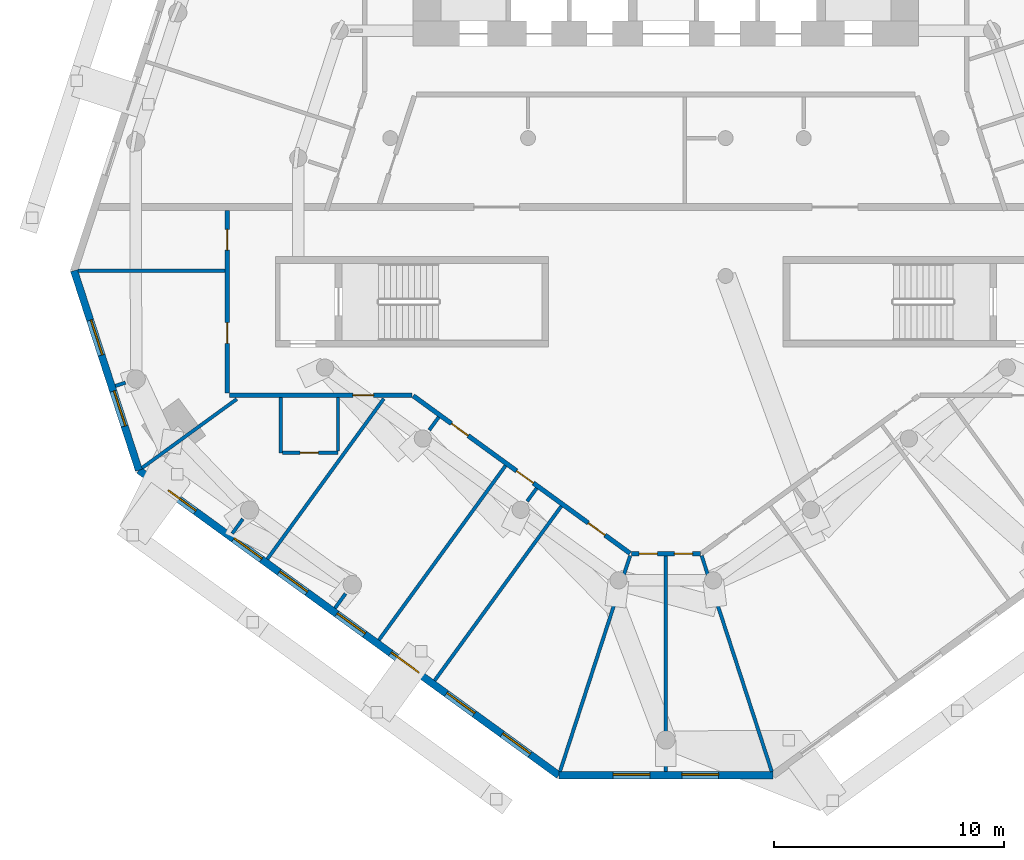
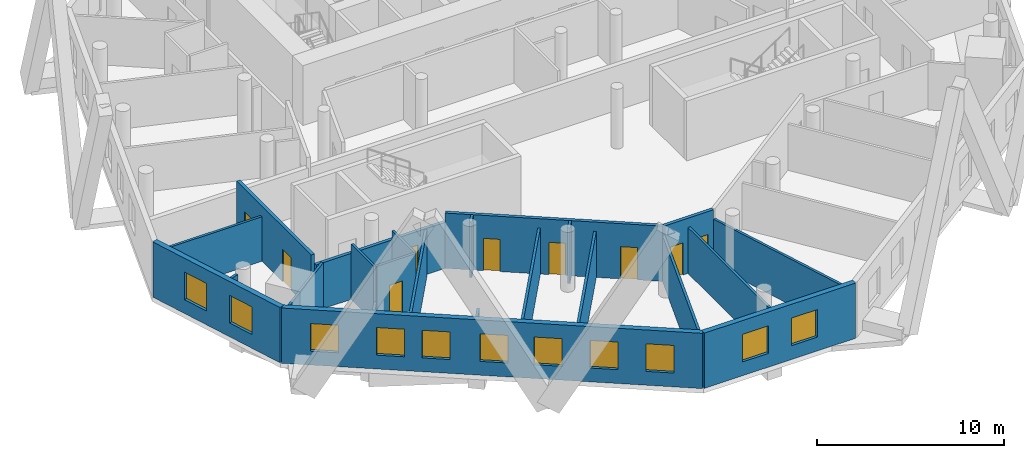
# One storey, part 4 of 11: 23 walls, 11 windows, 9 doors, 20 openings.
"""IFC4 building model written with IfcOpenShell, lengths in metres."""

from ifc_helpers import new_model, si_unit, direction, frame, frame_2d, origin, place, context, subcontext, project, spatial, rectangle, extrude, material, layer, layer_set, type_object, element, fill, save


model = new_model("IFC4")

# Units and contexts
model_context = context("Model", 3, precision=1e-05, world=origin(), true_north=direction((0.0, 1.0)))
body_context = subcontext(model_context, "Body", "Model", "MODEL_VIEW")
ifc_project = project(units=[si_unit("LENGTHUNIT", "METRE"), si_unit("AREAUNIT", "SQUARE_METRE"), si_unit("VOLUMEUNIT", "CUBIC_METRE"), si_unit("PLANEANGLEUNIT", "RADIAN"), si_unit("MASSUNIT", "GRAM", prefix="KILO")], contexts=[model_context])

# Site, building, storey
site_placement = place(None, origin())
site = spatial("IfcSite", under=ifc_project, at=site_placement, CompositionType="ELEMENT")
building_placement = place(site_placement, origin())
building = spatial("IfcBuilding", under=site, at=building_placement, Name="White Candle Pilgrim Tower", CompositionType="ELEMENT")
storey_placement = place(building_placement, frame((0.0, 0.0, 90.800048828125)))
storey = spatial("IfcBuildingStorey", under=building, at=storey_placement, Name="L19", CompositionType="ELEMENT", Elevation=90.800048828125)

# Wall, openings, doors
ifc_material_1 = material(Name="Gypsum board on steel studs", Category="steel")
ifc_layer_1 = layer(ifc_material_1, 0.199951171875)
ifc_layer_set_1 = layer_set([ifc_layer_1], Name="Corridor wall 200 mm EI 45")
wall_type_1 = type_object("IfcWallType", Name="Corridor wall 200 mm EI 45", PredefinedType="PARTITIONING", material=ifc_layer_set_1)
wall_1_placement = place(storey_placement, frame((71.497802734375, 48.904296875, 0.0), z_axis=(0.0, 0.0, 1.0), x_axis=(-1.0, 0.0, 0.0)))
wall_1 = element("IfcWall", 1, at=wall_1_placement, inside=storey, type_object=wall_type_1, Name="WL-L19-P009", PredefinedType="PARTITIONING", context=body_context, shape_type="SweptSolid", body=[
    extrude(rectangle(XDim=2.99560546875, YDim=0.199951171875, at=frame_2d((1.497802734375, 0.0))), origin(), (0.0, 0.0, 1.0), 3.599853515625),
])
opening_1_placement = place(wall_1_placement, frame((1.863037109375, 0.0, 0.0)))
opening_1 = element("IfcOpeningElement", 2, at=opening_1_placement, cuts=wall_1, Name="Opening T06-108", PredefinedType="OPENING", context=body_context, shape_type="SweptSolid", body=[
    extrude(rectangle(XDim=0.800048828125, YDim=2.10009765625, at=frame_2d((0.39990234375, 1.050048828125))), frame((0.0, 0.10986328125, 0.0), z_axis=(0.0, -1.0, 0.0), x_axis=(1.0, 0.0, 0.0)), (0.0, 0.0, 1.0), 0.219970703125),
])
opening_2_placement = place(wall_1_placement, frame((0.33251953125, 0.0, 0.0)))
opening_2 = element("IfcOpeningElement", 3, at=opening_2_placement, cuts=wall_1, Name="Opening T06-109", PredefinedType="OPENING", context=body_context, shape_type="SweptSolid", body=[
    extrude(rectangle(XDim=0.800048828125, YDim=2.10009765625, at=frame_2d((0.39990234375, 1.050048828125))), frame((0.0, 0.10986328125, 0.0), z_axis=(0.0, -1.0, 0.0), x_axis=(1.0, 0.0, 0.0)), (0.0, 0.0, 1.0), 0.219970703125),
])
ifc_material_2 = material(Name="Steel door leaf", Category="steel")
door_type_1 = type_object("IfcDoorType", Name="Fire door 800 x 2100 EI 30", OperationType="NOTDEFINED", PredefinedType="DOOR", material=ifc_material_2)
door_1_placement = place(opening_1_placement, origin())
door_1 = element("IfcDoor", 4, at=door_1_placement, inside=storey, type_object=door_type_1, Name="Door T06-108", OperationType="SINGLE_SWING_RIGHT", OverallHeight=2.10009765625, OverallWidth=0.800048828125, PredefinedType="DOOR", context=body_context, shape_type="SweptSolid", body=[
    extrude(rectangle(XDim=0.800048828125, YDim=2.10009765625, at=frame_2d((0.39990234375, 1.050048828125))), frame((0.0, 0.02490234375, 0.0), z_axis=(0.0, -1.0, 0.0), x_axis=(1.0, 0.0, 0.0)), (0.0, 0.0, 1.0), 0.050048828125),
])
fill(opening_1, door_1)
door_2_placement = place(opening_2_placement, origin())
door_2 = element("IfcDoor", 5, at=door_2_placement, inside=storey, type_object=door_type_1, Name="Door T06-109", OperationType="SINGLE_SWING_LEFT", OverallHeight=2.10009765625, OverallWidth=0.800048828125, PredefinedType="DOOR", context=body_context, shape_type="SweptSolid", body=[
    extrude(rectangle(XDim=0.800048828125, YDim=2.10009765625, at=frame_2d((0.39990234375, 1.050048828125))), frame((0.0, 0.02490234375, 0.0), z_axis=(0.0, -1.0, 0.0), x_axis=(1.0, 0.0, 0.0)), (0.0, 0.0, 1.0), 0.050048828125),
])
fill(opening_2, door_2)

wall_2_placement = place(storey_placement, frame((68.443359375, 48.92333984375, 0.0), z_axis=(0.0, 0.0, 1.0), x_axis=(-0.809008378027, 0.587797111495, 0.0)))
wall_2 = element("IfcWall", 6, at=wall_2_placement, inside=storey, type_object=wall_type_1, Name="WL-L19-P010", PredefinedType="PARTITIONING", context=body_context, shape_type="SweptSolid", body=[
    extrude(rectangle(XDim=11.666748046875, YDim=0.199951171875, at=frame_2d((5.83349609375, 0.0))), origin(), (0.0, 0.0, 1.0), 3.599853515625),
])
opening_3_placement = place(wall_2_placement, frame((8.715087890625, 0.0, 0.0)))
opening_3 = element("IfcOpeningElement", 7, at=opening_3_placement, cuts=wall_2, Name="Opening T06-105", PredefinedType="OPENING", context=body_context, shape_type="SweptSolid", body=[
    extrude(rectangle(XDim=0.89990234375, YDim=2.10009765625, at=frame_2d((0.449951171875, 1.050048828125))), frame((0.0, 0.10986328125, 0.0), z_axis=(0.0, -1.0, 0.0), x_axis=(1.0, 0.0, 0.0)), (0.0, 0.0, 1.0), 0.219970703125),
])
opening_4_placement = place(wall_2_placement, frame((5.206298828125, 0.0, 0.0)))
opening_4 = element("IfcOpeningElement", 8, at=opening_4_placement, cuts=wall_2, Name="Opening T06-106", PredefinedType="OPENING", context=body_context, shape_type="SweptSolid", body=[
    extrude(rectangle(XDim=0.89990234375, YDim=2.10009765625, at=frame_2d((0.449951171875, 1.050048828125))), frame((0.0, 0.10986328125, 0.0), z_axis=(0.0, -1.0, 0.0), x_axis=(1.0, 0.0, 0.0)), (0.0, 0.0, 1.0), 0.219970703125),
])
opening_5_placement = place(wall_2_placement, frame((1.349365234375, 0.0, 0.0)))
opening_5 = element("IfcOpeningElement", 9, at=opening_5_placement, cuts=wall_2, Name="Opening T06-107", PredefinedType="OPENING", context=body_context, shape_type="SweptSolid", body=[
    extrude(rectangle(XDim=0.89990234375, YDim=2.10009765625, at=frame_2d((0.449951171875, 1.050048828125))), frame((0.0, 0.10986328125, 0.0), z_axis=(0.0, -1.0, 0.0), x_axis=(1.0, 0.0, 0.0)), (0.0, 0.0, 1.0), 0.219970703125),
])
door_type_2 = type_object("IfcDoorType", Name="Fire door 900 x 2100 EI 30", OperationType="NOTDEFINED", PredefinedType="DOOR", material=ifc_material_2)
door_3_placement = place(opening_3_placement, origin())
door_3 = element("IfcDoor", 10, at=door_3_placement, inside=storey, type_object=door_type_2, Name="Door T06-105", OperationType="SINGLE_SWING_LEFT", OverallHeight=2.10009765625, OverallWidth=0.89990234375, PredefinedType="DOOR", context=body_context, shape_type="SweptSolid", body=[
    extrude(rectangle(XDim=0.89990234375, YDim=2.10009765625, at=frame_2d((0.449951171875, 1.050048828125))), frame((0.0, 0.02490234375, 0.0), z_axis=(0.0, -1.0, 0.0), x_axis=(1.0, 0.0, 0.0)), (0.0, 0.0, 1.0), 0.050048828125),
])
fill(opening_3, door_3)
door_4_placement = place(opening_4_placement, origin())
door_4 = element("IfcDoor", 11, at=door_4_placement, inside=storey, type_object=door_type_2, Name="Door T06-106", OperationType="SINGLE_SWING_RIGHT", OverallHeight=2.10009765625, OverallWidth=0.89990234375, PredefinedType="DOOR", context=body_context, shape_type="SweptSolid", body=[
    extrude(rectangle(XDim=0.89990234375, YDim=2.10009765625, at=frame_2d((0.449951171875, 1.050048828125))), frame((0.0, 0.02490234375, 0.0), z_axis=(0.0, -1.0, 0.0), x_axis=(1.0, 0.0, 0.0)), (0.0, 0.0, 1.0), 0.050048828125),
])
fill(opening_4, door_4)
door_5_placement = place(opening_5_placement, origin())
door_5 = element("IfcDoor", 12, at=door_5_placement, inside=storey, type_object=door_type_2, Name="Door T06-107", OperationType="SINGLE_SWING_LEFT", OverallHeight=2.10009765625, OverallWidth=0.89990234375, PredefinedType="DOOR", context=body_context, shape_type="SweptSolid", body=[
    extrude(rectangle(XDim=0.89990234375, YDim=2.10009765625, at=frame_2d((0.449951171875, 1.050048828125))), frame((0.0, 0.02490234375, 0.0), z_axis=(0.0, -1.0, 0.0), x_axis=(1.0, 0.0, 0.0)), (0.0, 0.0, 1.0), 0.050048828125),
])
fill(opening_5, door_5)

# Wall, opening, door
wall_3_placement = place(storey_placement, frame((58.946044921875, 55.800048828125, 0.0), z_axis=(0.0, 0.0, 1.0), x_axis=(-1.0, 0.0, 0.0)))
wall_3 = element("IfcWall", 13, at=wall_3_placement, inside=storey, type_object=wall_type_1, Name="WL-L19-P011", PredefinedType="PARTITIONING", context=body_context, shape_type="SweptSolid", body=[
    extrude(rectangle(XDim=7.946044921875, YDim=0.199951171875, at=frame_2d((3.97314453125, 0.0))), origin(), (0.0, 0.0, 1.0), 3.0),
])
opening_6_placement = place(wall_3_placement, frame((1.66943359375, 0.0, 0.0)))
opening_6 = element("IfcOpeningElement", 14, at=opening_6_placement, cuts=wall_3, Name="Opening T06-104", PredefinedType="OPENING", context=body_context, shape_type="SweptSolid", body=[
    extrude(rectangle(XDim=0.89990234375, YDim=2.10009765625, at=frame_2d((0.449951171875, 1.050048828125))), frame((0.0, 0.10986328125, 0.0), z_axis=(0.0, -1.0, 0.0), x_axis=(1.0, 0.0, 0.0)), (0.0, 0.0, 1.0), 0.219970703125),
])
door_6_placement = place(opening_6_placement, origin())
door_6 = element("IfcDoor", 15, at=door_6_placement, inside=storey, type_object=door_type_2, Name="Door T06-104", OperationType="SINGLE_SWING_RIGHT", OverallHeight=2.10009765625, OverallWidth=0.89990234375, PredefinedType="DOOR", context=body_context, shape_type="SweptSolid", body=[
    extrude(rectangle(XDim=0.89990234375, YDim=2.10009765625, at=frame_2d((0.449951171875, 1.050048828125))), frame((0.0, 0.02490234375, 0.0), z_axis=(0.0, -1.0, 0.0), x_axis=(1.0, 0.0, 0.0)), (0.0, 0.0, 1.0), 0.050048828125),
])
fill(opening_6, door_6)

# Wall, openings, doors
wall_4_placement = place(storey_placement, frame((50.89990234375, 55.89990234375, 0.0), z_axis=(0.0, 0.0, 1.0), x_axis=(0.0, 1.0, 0.0)))
wall_4 = element("IfcWall", 16, at=wall_4_placement, inside=storey, type_object=wall_type_1, Name="WL-L19-P012", PredefinedType="PARTITIONING", context=body_context, shape_type="SweptSolid", body=[
    extrude(rectangle(XDim=7.9501953125, YDim=0.199951171875, at=frame_2d((3.97509765625, 0.0))), origin(), (0.0, 0.0, 1.0), 3.599853515625),
])
opening_7_placement = place(wall_4_placement, frame((2.165283203125, 0.0, 0.0)))
opening_7 = element("IfcOpeningElement", 17, at=opening_7_placement, cuts=wall_4, Name="Opening T06-102", PredefinedType="OPENING", context=body_context, shape_type="SweptSolid", body=[
    extrude(rectangle(XDim=0.89990234375, YDim=2.10009765625, at=frame_2d((0.449951171875, 1.050048828125))), frame((0.0, 0.10986328125, 0.0), z_axis=(0.0, -1.0, 0.0), x_axis=(1.0, 0.0, 0.0)), (0.0, 0.0, 1.0), 0.219970703125),
])
opening_8_placement = place(wall_4_placement, frame((6.227783203125, 0.0, 0.0)))
opening_8 = element("IfcOpeningElement", 18, at=opening_8_placement, cuts=wall_4, Name="Opening T06-118", PredefinedType="OPENING", context=body_context, shape_type="SweptSolid", body=[
    extrude(rectangle(XDim=0.89990234375, YDim=2.10009765625, at=frame_2d((0.449951171875, 1.050048828125))), frame((0.0, 0.10986328125, 0.0), z_axis=(0.0, -1.0, 0.0), x_axis=(1.0, 0.0, 0.0)), (0.0, 0.0, 1.0), 0.219970703125),
])
door_7_placement = place(opening_7_placement, origin())
door_7 = element("IfcDoor", 19, at=door_7_placement, inside=storey, type_object=door_type_2, Name="Door T06-102", OperationType="SINGLE_SWING_RIGHT", OverallHeight=2.10009765625, OverallWidth=0.89990234375, PredefinedType="DOOR", context=body_context, shape_type="SweptSolid", body=[
    extrude(rectangle(XDim=0.89990234375, YDim=2.10009765625, at=frame_2d((0.449951171875, 1.050048828125))), frame((0.0, 0.02490234375, 0.0), z_axis=(0.0, -1.0, 0.0), x_axis=(1.0, 0.0, 0.0)), (0.0, 0.0, 1.0), 0.050048828125),
])
fill(opening_7, door_7)
door_8_placement = place(opening_8_placement, origin())
door_8 = element("IfcDoor", 20, at=door_8_placement, inside=storey, type_object=door_type_2, Name="Door T06-118", OperationType="SINGLE_SWING_RIGHT", OverallHeight=2.10009765625, OverallWidth=0.89990234375, PredefinedType="DOOR", context=body_context, shape_type="SweptSolid", body=[
    extrude(rectangle(XDim=0.89990234375, YDim=2.10009765625, at=frame_2d((0.449951171875, 1.050048828125))), frame((0.0, 0.02490234375, 0.0), z_axis=(0.0, -1.0, 0.0), x_axis=(1.0, 0.0, 0.0)), (0.0, 0.0, 1.0), 0.050048828125),
])
fill(opening_8, door_8)

# Wall, openings, windows
ifc_material_3 = material(Name="Precast concrete C40/50", Category="concrete")
ifc_layer_2 = layer(ifc_material_3, 0.320068359375)
ifc_layer_set_2 = layer_set([ifc_layer_2], Name="Facade wall EW1 precast concrete C40/50 pier wall with timber-lined reveals")
wall_type_2 = type_object("IfcWallType", Name="Facade wall EW1 precast concrete C40/50 pier wall with timber-lined reveals", PredefinedType="SOLIDWALL", material=ifc_layer_set_2)
wall_5_placement = place(storey_placement, frame((44.237548828125, 61.230712890625, 0.0), z_axis=(0.0, 0.0, 1.0), x_axis=(0.309026240246, -0.95105351208, 0.0)))
wall_5 = element("IfcWall", 21, at=wall_5_placement, inside=storey, type_object=wall_type_2, Name="Facade wall L19 W chamfer", PredefinedType="SOLIDWALL", context=body_context, shape_type="SweptSolid", body=[
    extrude(rectangle(XDim=9.13427734375, YDim=0.320068359375, at=frame_2d((4.567138671875, 0.0))), origin(), (0.0, 0.0, 1.0), 3.599853515625),
])
opening_9_placement = place(wall_5_placement, frame((2.26708984375, 0.0, 0.89990234375)))
opening_9 = element("IfcOpeningElement", 22, at=opening_9_placement, cuts=wall_5, Name="Opening W2", PredefinedType="OPENING", context=body_context, shape_type="SweptSolid", body=[
    extrude(rectangle(XDim=1.60009765625, YDim=1.800048828125, at=frame_2d((0.800048828125, 0.89990234375))), frame((0.0, 0.169921875, 0.0), z_axis=(0.0, -1.0, 0.0), x_axis=(1.0, 0.0, 0.0)), (0.0, 0.0, 1.0), 0.340087890625),
])
opening_10_placement = place(wall_5_placement, frame((5.51708984375, 0.0, 0.89990234375)))
opening_10 = element("IfcOpeningElement", 23, at=opening_10_placement, cuts=wall_5, Name="Opening W2", PredefinedType="OPENING", context=body_context, shape_type="SweptSolid", body=[
    extrude(rectangle(XDim=1.60009765625, YDim=1.800048828125, at=frame_2d((0.800048828125, 0.89990234375))), frame((0.0, 0.169921875, 0.0), z_axis=(0.0, -1.0, 0.0), x_axis=(1.0, 0.0, 0.0)), (0.0, 0.0, 1.0), 0.340087890625),
])
ifc_material_4 = material(Name="Timber frame with triple glazing", Category="wood")
window_type_1 = type_object("IfcWindowType", Name="Window W2 1600x1800 timber frame triple glazing", PartitioningType="SINGLE_PANEL", PredefinedType="WINDOW", material=ifc_material_4)
window_1_placement = place(opening_9_placement, origin())
window_1 = element("IfcWindow", 24, at=window_1_placement, inside=storey, type_object=window_type_1, Name="Window W2 L19 W chamfer 1", OverallHeight=1.800048828125, OverallWidth=1.60009765625, PartitioningType="SINGLE_PANEL", PredefinedType="WINDOW", context=body_context, shape_type="SweptSolid", body=[
    extrude(rectangle(XDim=1.60009765625, YDim=1.800048828125, at=frame_2d((0.800048828125, 0.89990234375))), frame((0.0, 0.070068359375, 0.0), z_axis=(0.0, -1.0, 0.0), x_axis=(1.0, 0.0, 0.0)), (0.0, 0.0, 1.0), 0.06005859375),
])
fill(opening_9, window_1)
window_2_placement = place(opening_10_placement, origin())
window_2 = element("IfcWindow", 25, at=window_2_placement, inside=storey, type_object=window_type_1, Name="Window W2 L19 W chamfer 2", OverallHeight=1.800048828125, OverallWidth=1.60009765625, PartitioningType="SINGLE_PANEL", PredefinedType="WINDOW", context=body_context, shape_type="SweptSolid", body=[
    extrude(rectangle(XDim=1.60009765625, YDim=1.800048828125, at=frame_2d((0.800048828125, 0.89990234375))), frame((0.0, 0.070068359375, 0.0), z_axis=(0.0, -1.0, 0.0), x_axis=(1.0, 0.0, 0.0)), (0.0, 0.0, 1.0), 0.06005859375),
])
fill(opening_10, window_2)

wall_6_placement = place(storey_placement, frame((47.060302734375, 52.54345703125, 0.0), z_axis=(0.0, 0.0, 1.0), x_axis=(0.809012643171, -0.587791241165, 0.0)))
wall_6 = element("IfcWall", 26, at=wall_6_placement, inside=storey, type_object=wall_type_2, Name="Facade wall L19 SW", PredefinedType="SOLIDWALL", context=body_context, shape_type="SweptSolid", body=[
    extrude(rectangle(XDim=22.591796875, YDim=0.320068359375, at=frame_2d((11.2958984375, 0.0))), origin(), (0.0, 0.0, 1.0), 3.599853515625),
])
opening_11_placement = place(wall_6_placement, frame((1.5458984375, 0.0, 0.89990234375)))
opening_11 = element("IfcOpeningElement", 27, at=opening_11_placement, cuts=wall_6, Name="Opening W1", PredefinedType="OPENING", context=body_context, shape_type="SweptSolid", body=[
    extrude(rectangle(XDim=1.5, YDim=1.800048828125, at=frame_2d((0.75, 0.89990234375))), frame((0.0, 0.169921875, 0.0), z_axis=(0.0, -1.0, 0.0), x_axis=(1.0, 0.0, 0.0)), (0.0, 0.0, 1.0), 0.340087890625),
])
opening_12_placement = place(wall_6_placement, frame((5.095947265625, 0.0, 0.89990234375)))
opening_12 = element("IfcOpeningElement", 28, at=opening_12_placement, cuts=wall_6, Name="Opening W1", PredefinedType="OPENING", context=body_context, shape_type="SweptSolid", body=[
    extrude(rectangle(XDim=1.5, YDim=1.800048828125, at=frame_2d((0.75, 0.89990234375))), frame((0.0, 0.169921875, 0.0), z_axis=(0.0, -1.0, 0.0), x_axis=(1.0, 0.0, 0.0)), (0.0, 0.0, 1.0), 0.340087890625),
])
opening_13_placement = place(wall_6_placement, frame((7.5458984375, 0.0, 0.89990234375)))
opening_13 = element("IfcOpeningElement", 29, at=opening_13_placement, cuts=wall_6, Name="Opening W1", PredefinedType="OPENING", context=body_context, shape_type="SweptSolid", body=[
    extrude(rectangle(XDim=1.5, YDim=1.800048828125, at=frame_2d((0.75, 0.89990234375))), frame((0.0, 0.169921875, 0.0), z_axis=(0.0, -1.0, 0.0), x_axis=(1.0, 0.0, 0.0)), (0.0, 0.0, 1.0), 0.340087890625),
])
opening_14_placement = place(wall_6_placement, frame((10.64599609375, 0.0, 0.89990234375)))
opening_14 = element("IfcOpeningElement", 30, at=opening_14_placement, cuts=wall_6, Name="Opening W1", PredefinedType="OPENING", context=body_context, shape_type="SweptSolid", body=[
    extrude(rectangle(XDim=1.5, YDim=1.800048828125, at=frame_2d((0.75, 0.89990234375))), frame((0.0, 0.169921875, 0.0), z_axis=(0.0, -1.0, 0.0), x_axis=(1.0, 0.0, 0.0)), (0.0, 0.0, 1.0), 0.340087890625),
])
opening_15_placement = place(wall_6_placement, frame((13.5458984375, 0.0, 0.89990234375)))
opening_15 = element("IfcOpeningElement", 31, at=opening_15_placement, cuts=wall_6, Name="Opening W1", PredefinedType="OPENING", context=body_context, shape_type="SweptSolid", body=[
    extrude(rectangle(XDim=1.5, YDim=1.800048828125, at=frame_2d((0.75, 0.89990234375))), frame((0.0, 0.169921875, 0.0), z_axis=(0.0, -1.0, 0.0), x_axis=(1.0, 0.0, 0.0)), (0.0, 0.0, 1.0), 0.340087890625),
])
opening_16_placement = place(wall_6_placement, frame((16.5458984375, 0.0, 0.89990234375)))
opening_16 = element("IfcOpeningElement", 32, at=opening_16_placement, cuts=wall_6, Name="Opening W1", PredefinedType="OPENING", context=body_context, shape_type="SweptSolid", body=[
    extrude(rectangle(XDim=1.5, YDim=1.800048828125, at=frame_2d((0.75, 0.89990234375))), frame((0.0, 0.169921875, 0.0), z_axis=(0.0, -1.0, 0.0), x_axis=(1.0, 0.0, 0.0)), (0.0, 0.0, 1.0), 0.340087890625),
])
opening_17_placement = place(wall_6_placement, frame((19.5458984375, 0.0, 0.89990234375)))
opening_17 = element("IfcOpeningElement", 33, at=opening_17_placement, cuts=wall_6, Name="Opening W1", PredefinedType="OPENING", context=body_context, shape_type="SweptSolid", body=[
    extrude(rectangle(XDim=1.5, YDim=1.800048828125, at=frame_2d((0.75, 0.89990234375))), frame((0.0, 0.169921875, 0.0), z_axis=(0.0, -1.0, 0.0), x_axis=(1.0, 0.0, 0.0)), (0.0, 0.0, 1.0), 0.340087890625),
])
window_type_2 = type_object("IfcWindowType", Name="Window W1 1500x1800 timber frame triple glazing", PartitioningType="SINGLE_PANEL", PredefinedType="WINDOW", material=ifc_material_4)
window_3_placement = place(opening_11_placement, origin())
window_3 = element("IfcWindow", 34, at=window_3_placement, inside=storey, type_object=window_type_2, Name="Window W1 L19 SW 1", OverallHeight=1.800048828125, OverallWidth=1.5, PartitioningType="SINGLE_PANEL", PredefinedType="WINDOW", context=body_context, shape_type="SweptSolid", body=[
    extrude(rectangle(XDim=1.5, YDim=1.800048828125, at=frame_2d((0.75, 0.89990234375))), frame((0.0, 0.070068359375, 0.0), z_axis=(0.0, -1.0, 0.0), x_axis=(1.0, 0.0, 0.0)), (0.0, 0.0, 1.0), 0.06005859375),
])
fill(opening_11, window_3)
window_4_placement = place(opening_12_placement, origin())
window_4 = element("IfcWindow", 35, at=window_4_placement, inside=storey, type_object=window_type_2, Name="Window W1 L19 SW 2", OverallHeight=1.800048828125, OverallWidth=1.5, PartitioningType="SINGLE_PANEL", PredefinedType="WINDOW", context=body_context, shape_type="SweptSolid", body=[
    extrude(rectangle(XDim=1.5, YDim=1.800048828125, at=frame_2d((0.75, 0.89990234375))), frame((0.0, 0.070068359375, 0.0), z_axis=(0.0, -1.0, 0.0), x_axis=(1.0, 0.0, 0.0)), (0.0, 0.0, 1.0), 0.06005859375),
])
fill(opening_12, window_4)
window_5_placement = place(opening_13_placement, origin())
window_5 = element("IfcWindow", 36, at=window_5_placement, inside=storey, type_object=window_type_2, Name="Window W1 L19 SW 3", OverallHeight=1.800048828125, OverallWidth=1.5, PartitioningType="SINGLE_PANEL", PredefinedType="WINDOW", context=body_context, shape_type="SweptSolid", body=[
    extrude(rectangle(XDim=1.5, YDim=1.800048828125, at=frame_2d((0.75, 0.89990234375))), frame((0.0, 0.070068359375, 0.0), z_axis=(0.0, -1.0, 0.0), x_axis=(1.0, 0.0, 0.0)), (0.0, 0.0, 1.0), 0.06005859375),
])
fill(opening_13, window_5)
window_6_placement = place(opening_14_placement, origin())
window_6 = element("IfcWindow", 37, at=window_6_placement, inside=storey, type_object=window_type_2, Name="Window W1 L19 SW 4", OverallHeight=1.800048828125, OverallWidth=1.5, PartitioningType="SINGLE_PANEL", PredefinedType="WINDOW", context=body_context, shape_type="SweptSolid", body=[
    extrude(rectangle(XDim=1.5, YDim=1.800048828125, at=frame_2d((0.75, 0.89990234375))), frame((0.0, 0.070068359375, 0.0), z_axis=(0.0, -1.0, 0.0), x_axis=(1.0, 0.0, 0.0)), (0.0, 0.0, 1.0), 0.06005859375),
])
fill(opening_14, window_6)
window_7_placement = place(opening_15_placement, origin())
window_7 = element("IfcWindow", 38, at=window_7_placement, inside=storey, type_object=window_type_2, Name="Window W1 L19 SW 5", OverallHeight=1.800048828125, OverallWidth=1.5, PartitioningType="SINGLE_PANEL", PredefinedType="WINDOW", context=body_context, shape_type="SweptSolid", body=[
    extrude(rectangle(XDim=1.5, YDim=1.800048828125, at=frame_2d((0.75, 0.89990234375))), frame((0.0, 0.070068359375, 0.0), z_axis=(0.0, -1.0, 0.0), x_axis=(1.0, 0.0, 0.0)), (0.0, 0.0, 1.0), 0.06005859375),
])
fill(opening_15, window_7)
window_8_placement = place(opening_16_placement, origin())
window_8 = element("IfcWindow", 39, at=window_8_placement, inside=storey, type_object=window_type_2, Name="Window W1 L19 SW 6", OverallHeight=1.800048828125, OverallWidth=1.5, PartitioningType="SINGLE_PANEL", PredefinedType="WINDOW", context=body_context, shape_type="SweptSolid", body=[
    extrude(rectangle(XDim=1.5, YDim=1.800048828125, at=frame_2d((0.75, 0.89990234375))), frame((0.0, 0.070068359375, 0.0), z_axis=(0.0, -1.0, 0.0), x_axis=(1.0, 0.0, 0.0)), (0.0, 0.0, 1.0), 0.06005859375),
])
fill(opening_16, window_8)
window_9_placement = place(opening_17_placement, origin())
window_9 = element("IfcWindow", 40, at=window_9_placement, inside=storey, type_object=window_type_2, Name="Window W1 L19 SW 7", OverallHeight=1.800048828125, OverallWidth=1.5, PartitioningType="SINGLE_PANEL", PredefinedType="WINDOW", context=body_context, shape_type="SweptSolid", body=[
    extrude(rectangle(XDim=1.5, YDim=1.800048828125, at=frame_2d((0.75, 0.89990234375))), frame((0.0, 0.070068359375, 0.0), z_axis=(0.0, -1.0, 0.0), x_axis=(1.0, 0.0, 0.0)), (0.0, 0.0, 1.0), 0.06005859375),
])
fill(opening_17, window_9)

wall_7_placement = place(storey_placement, frame((65.33740234375, 39.26416015625, 0.0), z_axis=(0.0, 0.0, 1.0), x_axis=(1.0, 0.0, 0.0)))
wall_7 = element("IfcWall", 41, at=wall_7_placement, inside=storey, type_object=wall_type_2, Name="Facade wall L19 S chamfer", PredefinedType="SOLIDWALL", context=body_context, shape_type="SweptSolid", body=[
    extrude(rectangle(XDim=9.3251953125, YDim=0.320068359375, at=frame_2d((4.66259765625, 0.0))), origin(), (0.0, 0.0, 1.0), 3.599853515625),
])
opening_18_placement = place(wall_7_placement, frame((2.362548828125, 0.0, 0.89990234375)))
opening_18 = element("IfcOpeningElement", 42, at=opening_18_placement, cuts=wall_7, Name="Opening W2", PredefinedType="OPENING", context=body_context, shape_type="SweptSolid", body=[
    extrude(rectangle(XDim=1.60009765625, YDim=1.800048828125, at=frame_2d((0.800048828125, 0.89990234375))), frame((0.0, 0.169921875, 0.0), z_axis=(0.0, -1.0, 0.0), x_axis=(1.0, 0.0, 0.0)), (0.0, 0.0, 1.0), 0.340087890625),
])
opening_19_placement = place(wall_7_placement, frame((5.362548828125, 0.0, 0.89990234375)))
opening_19 = element("IfcOpeningElement", 43, at=opening_19_placement, cuts=wall_7, Name="Opening W2", PredefinedType="OPENING", context=body_context, shape_type="SweptSolid", body=[
    extrude(rectangle(XDim=1.60009765625, YDim=1.800048828125, at=frame_2d((0.800048828125, 0.89990234375))), frame((0.0, 0.169921875, 0.0), z_axis=(0.0, -1.0, 0.0), x_axis=(1.0, 0.0, 0.0)), (0.0, 0.0, 1.0), 0.340087890625),
])
window_10_placement = place(opening_18_placement, origin())
window_10 = element("IfcWindow", 44, at=window_10_placement, inside=storey, type_object=window_type_1, Name="Window W2 L19 S chamfer 1", OverallHeight=1.800048828125, OverallWidth=1.60009765625, PartitioningType="SINGLE_PANEL", PredefinedType="WINDOW", context=body_context, shape_type="SweptSolid", body=[
    extrude(rectangle(XDim=1.60009765625, YDim=1.800048828125, at=frame_2d((0.800048828125, 0.89990234375))), frame((0.0, 0.070068359375, 0.0), z_axis=(0.0, -1.0, 0.0), x_axis=(1.0, 0.0, 0.0)), (0.0, 0.0, 1.0), 0.06005859375),
])
fill(opening_18, window_10)
window_11_placement = place(opening_19_placement, origin())
window_11 = element("IfcWindow", 45, at=window_11_placement, inside=storey, type_object=window_type_1, Name="Window W2 L19 S chamfer 2", OverallHeight=1.800048828125, OverallWidth=1.60009765625, PartitioningType="SINGLE_PANEL", PredefinedType="WINDOW", context=body_context, shape_type="SweptSolid", body=[
    extrude(rectangle(XDim=1.60009765625, YDim=1.800048828125, at=frame_2d((0.800048828125, 0.89990234375))), frame((0.0, 0.070068359375, 0.0), z_axis=(0.0, -1.0, 0.0), x_axis=(1.0, 0.0, 0.0)), (0.0, 0.0, 1.0), 0.06005859375),
])
fill(opening_19, window_11)

# Walls
ifc_layer_3 = layer(ifc_material_1, 0.14990234375)
ifc_layer_set_3 = layer_set([ifc_layer_3], Name="Partition 150 mm EI 60")
wall_type_3 = type_object("IfcWallType", Name="Partition 150 mm EI 60", PredefinedType="PARTITIONING", material=ifc_layer_set_3)
wall_8_placement = place(storey_placement, frame((44.40576171875, 61.230712890625, 0.0), z_axis=(0.0, 0.0, 1.0), x_axis=(1.0, 0.0, 0.0)))
element("IfcWall", 46, at=wall_8_placement, inside=storey, type_object=wall_type_3, Name="WL-L19-P017", PredefinedType="PARTITIONING", context=body_context, shape_type="SweptSolid", body=[
    extrude(rectangle(XDim=6.394287109375, YDim=0.14990234375, at=frame_2d((3.197265625, 0.0))), origin(), (0.0, 0.0, 1.0), 2.89990234375),
])
wall_9_placement = place(storey_placement, frame((47.1962890625, 52.642333984375, 0.0), z_axis=(0.0, 0.0, 1.0), x_axis=(0.809009310944, 0.587795827483, 0.0)))
element("IfcWall", 47, at=wall_9_placement, inside=storey, type_object=wall_type_3, Name="WL-L19-P018", PredefinedType="PARTITIONING", context=body_context, shape_type="SweptSolid", body=[
    extrude(rectangle(XDim=5.098876953125, YDim=0.14990234375, at=frame_2d((2.54931640625, 0.0))), origin(), (0.0, 0.0, 1.0), 3.099853515625),
])
for number, where, z_axis, x_axis, name in (
    (48, (65.389404296875, 39.42431640625, 0.0), (0.0, 0.0, 1.0), (0.309015131176, 0.951057121683, 0.0), "WL-L19-P019"),
    (49, (74.610595703125, 39.42431640625, 0.0), (0.0, 0.0, 1.0), (-0.309015131176, 0.951057121683, 0.0), "WL-L19-P020"),
):
    element("IfcWall", number, at=place(storey_placement, frame(where, z_axis=z_axis, x_axis=x_axis)), inside=storey, type_object=wall_type_3, Name=name, PredefinedType="PARTITIONING", context=body_context, shape_type="SweptSolid", body=[
        extrude(rectangle(XDim=9.8828125, YDim=0.14990234375, at=frame_2d((4.94140625, 0.0))), origin(), (0.0, 0.0, 1.0), 3.0),
    ])
wall_10_placement = place(storey_placement, frame((52.65234375, 48.678466796875, 0.0), z_axis=(0.0, 0.0, 1.0), x_axis=(0.587774405354, 0.809024875026, 0.0)))
element("IfcWall", 50, at=wall_10_placement, inside=storey, type_object=wall_type_3, Name="WL-L19-P029", PredefinedType="PARTITIONING", context=body_context, shape_type="SweptSolid", body=[
    extrude(rectangle(XDim=8.62451171875, YDim=0.14990234375, at=frame_2d((4.312255859375, 0.0))), origin(), (0.0, 0.0, 1.0), 3.0),
])
for number, where, z_axis, x_axis, name in (
    (51, (57.50634765625, 45.151611328125, 0.0), (0.0, 0.0, 1.0), (0.587783184234, 0.809018496903, 0.0), "WL-L19-P030"),
    (52, (59.933349609375, 43.38818359375, 0.0), (0.0, 0.0, 1.0), (0.587800219247, 0.809006120034, 0.0), "WL-L19-P031"),
):
    element("IfcWall", number, at=place(storey_placement, frame(where, z_axis=z_axis, x_axis=x_axis)), inside=storey, type_object=wall_type_3, Name=name, PredefinedType="PARTITIONING", context=body_context, shape_type="SweptSolid", body=[
        extrude(rectangle(XDim=9.380126953125, YDim=0.14990234375, at=frame_2d((4.68994140625, 0.0))), origin(), (0.0, 0.0, 1.0), 3.0),
    ])
wall_11_placement = place(storey_placement, frame((53.2265625, 55.699951171875, 0.0), z_axis=(0.0, 0.0, 1.0), x_axis=(0.0, -1.0, 0.0)))
element("IfcWall", 53, at=wall_11_placement, inside=storey, type_object=wall_type_3, Name="WL-L19-P032", PredefinedType="PARTITIONING", context=body_context, shape_type="SweptSolid", body=[
    extrude(rectangle(XDim=2.39990234375, YDim=0.14990234375, at=frame_2d((1.199951171875, 0.0))), origin(), (0.0, 0.0, 1.0), 3.599853515625),
])

# Wall, opening, door
wall_12_placement = place(storey_placement, frame((55.7265625, 53.300048828125, 0.0), z_axis=(0.0, 0.0, 1.0), x_axis=(-1.0, 0.0, 0.0)))
wall_12 = element("IfcWall", 54, at=wall_12_placement, inside=storey, type_object=wall_type_3, Name="WL-L19-P033", PredefinedType="PARTITIONING", context=body_context, shape_type="SweptSolid", body=[
    extrude(rectangle(XDim=2.425048828125, YDim=0.14990234375, at=frame_2d((1.21240234375, 0.0))), origin(), (0.0, 0.0, 1.0), 3.599853515625),
])
opening_20_placement = place(wall_12_placement, frame((0.85009765625, 0.0, 0.0)))
opening_20 = element("IfcOpeningElement", 55, at=opening_20_placement, cuts=wall_12, Name="Opening T06-103", PredefinedType="OPENING", context=body_context, shape_type="SweptSolid", body=[
    extrude(rectangle(XDim=0.800048828125, YDim=2.10009765625, at=frame_2d((0.39990234375, 1.050048828125))), frame((0.0, 0.0849609375, 0.0), z_axis=(0.0, -1.0, 0.0), x_axis=(1.0, 0.0, 0.0)), (0.0, 0.0, 1.0), 0.169921875),
])
door_9_placement = place(opening_20_placement, origin())
door_9 = element("IfcDoor", 56, at=door_9_placement, inside=storey, type_object=door_type_1, Name="Door T06-103", OperationType="SINGLE_SWING_LEFT", OverallHeight=2.10009765625, OverallWidth=0.800048828125, PredefinedType="DOOR", context=body_context, shape_type="SweptSolid", body=[
    extrude(rectangle(XDim=0.800048828125, YDim=2.10009765625, at=frame_2d((0.39990234375, 1.050048828125))), frame((0.0, 0.02490234375, 0.0), z_axis=(0.0, -1.0, 0.0), x_axis=(1.0, 0.0, 0.0)), (0.0, 0.0, 1.0), 0.050048828125),
])
fill(opening_20, door_9)

# Walls
wall_13_placement = place(storey_placement, frame((55.7265625, 55.699951171875, 0.0), z_axis=(0.0, 0.0, 1.0), x_axis=(0.0, -1.0, 0.0)))
element("IfcWall", 57, at=wall_13_placement, inside=storey, type_object=wall_type_3, Name="WL-L19-P034", PredefinedType="PARTITIONING", context=body_context, shape_type="SweptSolid", body=[
    extrude(rectangle(XDim=2.324951171875, YDim=0.14990234375, at=frame_2d((1.16259765625, 0.0))), origin(), (0.0, 0.0, 1.0), 3.599853515625),
])
wall_14_placement = place(storey_placement, frame((70.0, 39.42431640625, 0.0), z_axis=(0.0, 0.0, 1.0), x_axis=(0.0, 1.0, 0.0)))
element("IfcWall", 58, at=wall_14_placement, inside=storey, type_object=wall_type_3, Name="WL-L19-P035", PredefinedType="PARTITIONING", context=body_context, shape_type="SweptSolid", body=[
    extrude(rectangle(XDim=9.3798828125, YDim=0.14990234375, at=frame_2d((4.68994140625, 0.0))), origin(), (0.0, 0.0, 1.0), 3.0),
])
wall_15_placement = place(storey_placement, frame((46.47509765625, 56.35498046875, 0.0), z_axis=(0.0, 0.0, 1.0), x_axis=(-0.951037957901, -0.309074105406, 0.0)))
element("IfcWall", 59, at=wall_15_placement, inside=storey, type_object=wall_type_3, Name="WL-L19-P046", PredefinedType="PARTITIONING", context=body_context, shape_type="SweptSolid", body=[
    extrude(rectangle(XDim=0.46142578125, YDim=0.14990234375, at=frame_2d((0.230712890625, 0.0))), origin(), (0.0, 0.0, 1.0), 3.599853515625),
])
wall_16_placement = place(storey_placement, frame((51.583984375, 50.419677734375, 0.0), z_axis=(0.0, 0.0, 1.0), x_axis=(-0.587874171241, -0.808952383511, 0.0)))
element("IfcWall", 60, at=wall_16_placement, inside=storey, type_object=wall_type_3, Name="WL-L19-P047", PredefinedType="PARTITIONING", context=body_context, shape_type="SweptSolid", body=[
    extrude(rectangle(XDim=0.78076171875, YDim=0.14990234375, at=frame_2d((0.390380859375, 0.0))), origin(), (0.0, 0.0, 1.0), 3.599853515625),
])
wall_17_placement = place(storey_placement, frame((56.053955078125, 47.169677734375, 0.0), z_axis=(0.0, 0.0, 1.0), x_axis=(-0.587742933354, -0.809047739193, 0.0)))
element("IfcWall", 61, at=wall_17_placement, inside=storey, type_object=wall_type_3, Name="WL-L19-P048", PredefinedType="PARTITIONING", context=body_context, shape_type="SweptSolid", body=[
    extrude(rectangle(XDim=0.77880859375, YDim=0.14990234375, at=frame_2d((0.389404296875, 0.0))), origin(), (0.0, 0.0, 1.0), 3.599853515625),
])
wall_18_placement = place(storey_placement, frame((59.70068359375, 54.29052734375, 0.0), z_axis=(0.0, 0.0, 1.0), x_axis=(0.588046667034, 0.808827000903, 0.0)))
element("IfcWall", 62, at=wall_18_placement, inside=storey, type_object=wall_type_3, Name="WL-L19-P051", PredefinedType="PARTITIONING", context=body_context, shape_type="SweptSolid", body=[
    extrude(rectangle(XDim=0.69677734375, YDim=0.14990234375, at=frame_2d((0.348388671875, 0.0))), origin(), (0.0, 0.0, 1.0), 3.599853515625),
])
wall_19_placement = place(storey_placement, frame((63.960693359375, 51.190673828125, 0.0), z_axis=(0.0, 0.0, 1.0), x_axis=(0.587943727081, 0.808901831983, 0.0)))
element("IfcWall", 63, at=wall_19_placement, inside=storey, type_object=wall_type_3, Name="WL-L19-P052", PredefinedType="PARTITIONING", context=body_context, shape_type="SweptSolid", body=[
    extrude(rectangle(XDim=0.700439453125, YDim=0.14990234375, at=frame_2d((0.35009765625, 0.0))), origin(), (0.0, 0.0, 1.0), 3.599853515625),
])

save(model, "model.ifc")
